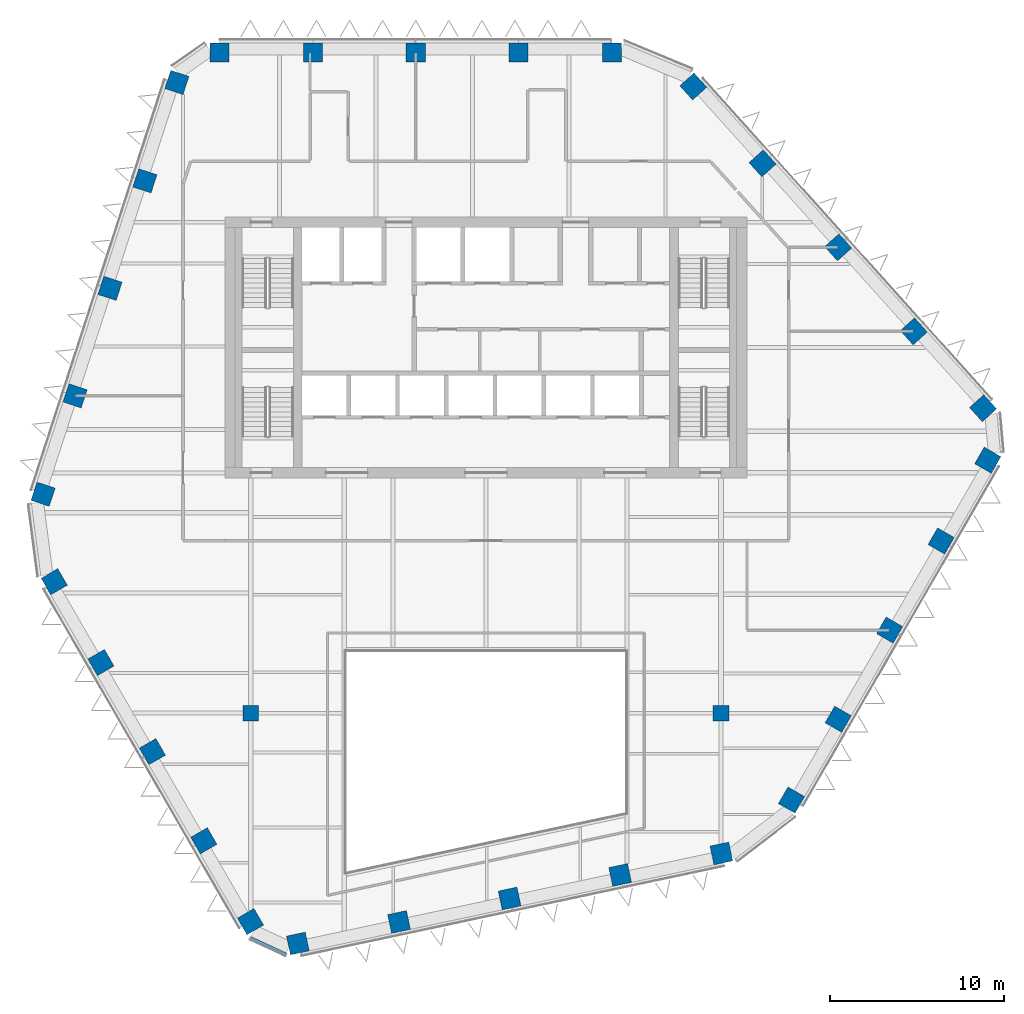
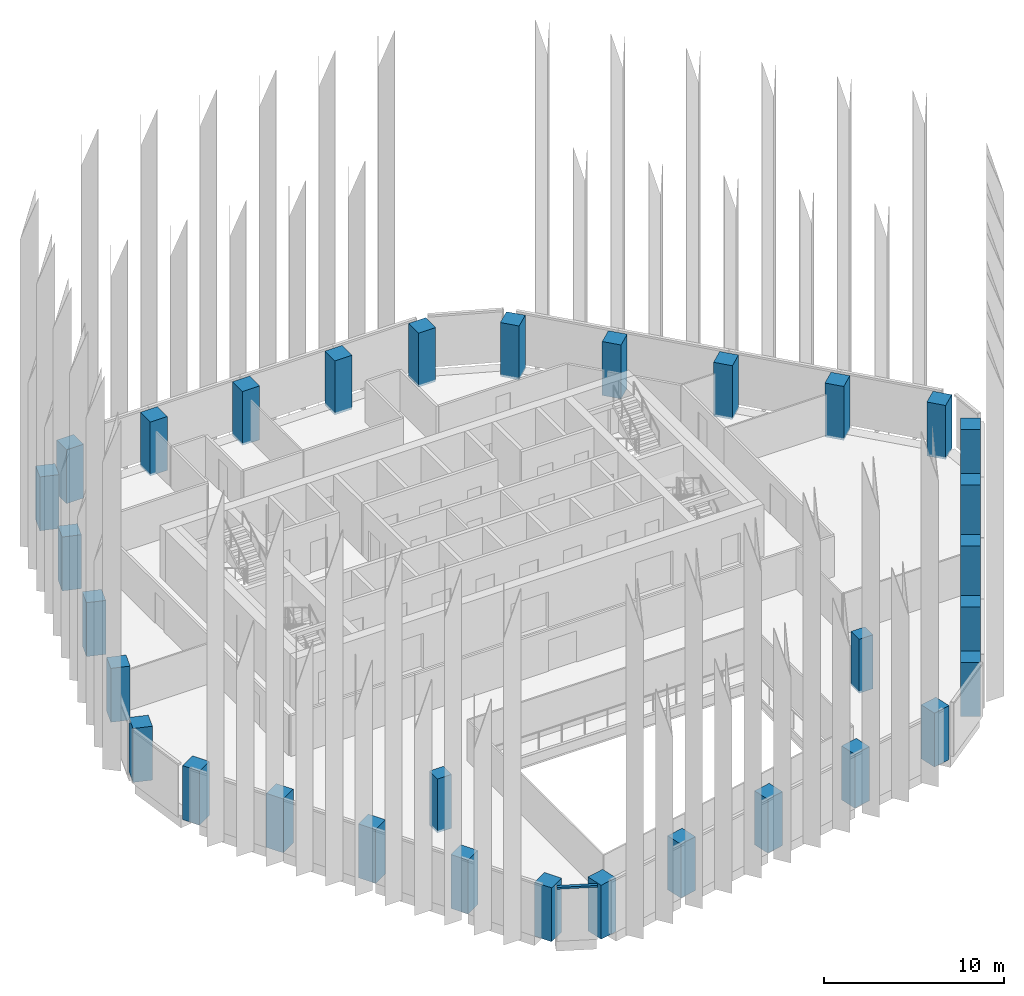
# One storey, part 1 of 18: 32 columns, 1 member, 1 element without a shape of its own.
"""IFC4 building model written with IfcOpenShell, lengths in metres."""

from ifc_helpers import new_model, si_unit, direction, frame, origin, origin_2d, place, context, subcontext, project, spatial, rectangle, extrude, material, layer, layer_set, material_profile, profile_set, type_object, element, aggregate, save


model = new_model("IFC4")

# Units and contexts
model_context = context("Model", 3, precision=1e-05, world=origin(), true_north=direction((0.0, 1.0)))
body_context = subcontext(model_context, "Body", "Model", "MODEL_VIEW")
ifc_project = project(units=[si_unit("LENGTHUNIT", "METRE"), si_unit("AREAUNIT", "SQUARE_METRE"), si_unit("VOLUMEUNIT", "CUBIC_METRE"), si_unit("PLANEANGLEUNIT", "RADIAN"), si_unit("MASSUNIT", "GRAM", prefix="KILO")], contexts=[model_context])

# Site, building, storey
site_placement = place(None, origin())
site = spatial("IfcSite", under=ifc_project, at=site_placement, CompositionType="ELEMENT")
building_placement = place(site_placement, origin())
building = spatial("IfcBuilding", under=site, at=building_placement, Name="Isthmus Gate Tower", CompositionType="ELEMENT")
storey_placement = place(building_placement, frame((0.0, 0.0, 238.199951171875)))
storey = spatial("IfcBuildingStorey", under=building, at=storey_placement, Name="L60", CompositionType="ELEMENT", Elevation=238.199951171875)

# Columns
ifc_material_1 = material(Name="Concrete f'c 50 MPa", Category="concrete")
ifc_material_profile_1 = material_profile(ifc_material_1, rectangle(XDim=0.89990234375, YDim=0.89990234375, at=origin_2d()), Name="RC 900X900")
ifc_profile_set_1 = profile_set([ifc_material_profile_1], Name="Concrete f'c 50 MPa")
column_type_1 = type_object("IfcColumnType", Name="RC INTERIOR COLUMN 900 X 900", PredefinedType="COLUMN", material=ifc_profile_set_1)
for number, where, z_axis, x_axis, name in (
    (1, (-13.5, -13.5, -0.14990234375), (0.0, 0.0, 1.0), (1.0, 0.0, 0.0), "str-icol-L60-ICB2"),
    (2, (13.5, -13.5, -0.14990234375), (0.0, 0.0, 1.0), (1.0, 0.0, 0.0), "str-icol-L60-ICD2"),
):
    element("IfcColumn", number, at=place(storey_placement, frame(where, z_axis=z_axis, x_axis=x_axis)), inside=storey, type_object=column_type_1, Name=name, PredefinedType="COLUMN", context=body_context, shape_type="SweptSolid", body=[
        extrude(rectangle(XDim=0.89990234375, YDim=0.89990234375, at=origin_2d()), origin(), (0.0, 0.0, 1.0), 3.64990234375),
    ])
ifc_material_2 = material(Name="Concrete f'c 50 MPa", Category="concrete")
ifc_material_profile_2 = material_profile(ifc_material_2, rectangle(XDim=1.10009765625, YDim=1.10009765625, at=origin_2d()), Name="RC 1100X1100")
ifc_profile_set_2 = profile_set([ifc_material_profile_2], Name="Concrete f'c 50 MPa")
column_type_2 = type_object("IfcColumnType", Name="RC TUBE COLUMN 1100 X 1100", PredefinedType="COLUMN", material=ifc_profile_set_2)
for number, where, z_axis, x_axis, name in (
    (3, (7.2412109375, 24.449951171875, -0.14990234375), (0.0, 0.0, 1.0), (-1.0, 0.0, 0.0), "str-tcol-L60-T3N0"),
    (4, (1.880615234375, 24.449951171875, -0.14990234375), (0.0, 0.0, 1.0), (-1.0, 0.0, 0.0), "str-tcol-L60-T3N1"),
    (5, (-4.030029296875, 24.449951171875, -0.14990234375), (0.0, 0.0, 1.0), (-1.0, 0.0, 0.0), "str-tcol-L60-T3N2"),
    (6, (-9.940673828125, 24.449951171875, -0.14990234375), (0.0, 0.0, 1.0), (-1.0, 0.0, 0.0), "str-tcol-L60-T3N3"),
    (7, (-15.30126953125, 24.449951171875, -0.14990234375), (0.0, 0.0, 1.0), (-1.0, 0.0, 0.0), "str-tcol-L60-T3N4"),
    (8, (-17.7509765625, 22.721923828125, -0.14990234375), (0.0, 0.0, 1.0), (-0.309016994375, -0.951056516295, 0.0), "str-tcol-L60-T3NW0"),
    (9, (-19.587158203125, 17.07080078125, -0.14990234375), (0.0, 0.0, 1.0), (-0.309016994375, -0.951056516295, 0.0), "str-tcol-L60-T3NW1"),
    (10, (-21.59326171875, 10.896728515625, -0.14990234375), (0.0, 0.0, 1.0), (-0.309016994375, -0.951056516295, 0.0), "str-tcol-L60-T3NW2"),
    (11, (-23.599365234375, 4.72265625, -0.14990234375), (0.0, 0.0, 1.0), (-0.309016994375, -0.951056516295, 0.0), "str-tcol-L60-T3NW3"),
    (12, (-25.435546875, -0.928466796875, -0.14990234375), (0.0, 0.0, 1.0), (-0.309016994375, -0.951056516295, 0.0), "str-tcol-L60-T3NW4"),
    (13, (-24.794921875, -5.9541015625, -0.14990234375), (0.0, 0.0, 1.0), (0.5, -0.866025403784, 0.0), "str-tcol-L60-T3SW0"),
    (14, (-22.114501953125, -10.596435546875, -0.14990234375), (0.0, 0.0, 1.0), (0.5, -0.866025403784, 0.0), "str-tcol-L60-T3SW1"),
    (15, (-19.1591796875, -15.715087890625, -0.14990234375), (0.0, 0.0, 1.0), (0.5, -0.866025403784, 0.0), "str-tcol-L60-T3SW2"),
    (16, (-16.2041015625, -20.833984375, -0.14990234375), (0.0, 0.0, 1.0), (0.5, -0.866025403784, 0.0), "str-tcol-L60-T3SW3"),
    (17, (-13.523681640625, -25.476318359375, -0.14990234375), (0.0, 0.0, 1.0), (0.5, -0.866025403784, 0.0), "str-tcol-L60-T3SW4"),
    (18, (-10.80224609375, -26.73388671875, -0.14990234375), (0.0, 0.0, 1.0), (0.978147600734, 0.207911690818, 0.0), "str-tcol-L60-T3S0"),
    (19, (-4.990234375, -25.498291015625, -0.14990234375), (0.0, 0.0, 1.0), (0.978147600734, 0.207911690818, 0.0), "str-tcol-L60-T3S1"),
    (20, (1.35986328125, -24.148681640625, -0.14990234375), (0.0, 0.0, 1.0), (0.978147600734, 0.207911690818, 0.0), "str-tcol-L60-T3S2"),
    (21, (7.7099609375, -22.798828125, -0.14990234375), (0.0, 0.0, 1.0), (0.978147600734, 0.207911690818, 0.0), "str-tcol-L60-T3S3"),
    (22, (13.52197265625, -21.5634765625, -0.14990234375), (0.0, 0.0, 1.0), (0.978147600734, 0.207911690818, 0.0), "str-tcol-L60-T3S4"),
    (23, (17.5537109375, -18.495849609375, -0.14990234375), (0.0, 0.0, 1.0), (0.5, 0.866025403784, 0.0), "str-tcol-L60-T3SE0"),
    (24, (20.234130859375, -13.853515625, -0.14990234375), (0.0, 0.0, 1.0), (0.5, 0.866025403784, 0.0), "str-tcol-L60-T3SE1"),
    (25, (23.189453125, -8.73486328125, -0.14990234375), (0.0, 0.0, 1.0), (0.5, 0.866025403784, 0.0), "str-tcol-L60-T3SE2"),
    (26, (26.144775390625, -3.6162109375, -0.14990234375), (0.0, 0.0, 1.0), (0.5, 0.866025403784, 0.0), "str-tcol-L60-T3SE3"),
    (27, (28.824951171875, 1.0263671875, -0.14990234375), (0.0, 0.0, 1.0), (0.5, 0.866025403784, 0.0), "str-tcol-L60-T3SE4"),
    (28, (28.55322265625, 4.011962890625, -0.14990234375), (0.0, 0.0, 1.0), (-0.669130606359, 0.743144825477, 0.0), "str-tcol-L60-T3NE0"),
    (29, (24.577392578125, 8.427490234375, -0.14990234375), (0.0, 0.0, 1.0), (-0.669130606359, 0.743144825477, 0.0), "str-tcol-L60-T3NE1"),
    (30, (20.2333984375, 13.251953125, -0.14990234375), (0.0, 0.0, 1.0), (-0.669130606359, 0.743144825477, 0.0), "str-tcol-L60-T3NE2"),
    (31, (15.8896484375, 18.076416015625, -0.14990234375), (0.0, 0.0, 1.0), (-0.669130606359, 0.743144825477, 0.0), "str-tcol-L60-T3NE3"),
    (32, (11.91357421875, 22.4921875, -0.14990234375), (0.0, 0.0, 1.0), (-0.669130606359, 0.743144825477, 0.0), "str-tcol-L60-T3NE4"),
):
    element("IfcColumn", number, at=place(storey_placement, frame(where, z_axis=z_axis, x_axis=x_axis)), inside=storey, type_object=column_type_2, Name=name, PredefinedType="COLUMN", context=body_context, shape_type="SweptSolid", body=[
        extrude(rectangle(XDim=1.10009765625, YDim=1.10009765625, at=origin_2d()), origin(), (0.0, 0.0, 1.0), 3.64990234375),
    ])

# Curtain wall, member
ifc_material_3 = material(Name="Aluminium, pale champagne anodised", Category="aluminium")
ifc_layer = layer(ifc_material_3, 0.199951171875)
ifc_layer_set = layer_set([ifc_layer], Name="CW-1 UNITISED CURTAIN WALL 200 DEEP")
curtain_wall_type = type_object("IfcCurtainWallType", Name="CW-1 UNITISED CURTAIN WALL 200 DEEP", PredefinedType="NOTDEFINED", material=ifc_layer_set)
curtain_wall_placement = place(storey_placement, origin())
curtain_wall = element("IfcCurtainWall", 33, at=curtain_wall_placement, inside=storey, type_object=curtain_wall_type, Name="CW-1 SW-S L60", PredefinedType="NOTDEFINED")
ifc_material_4 = material(Name="Aluminium, pale champagne anodised", Category="aluminium")
ifc_material_profile_3 = material_profile(ifc_material_4, rectangle(XDim=0.199951171875, YDim=0.1298828125, at=origin_2d()), Name="200x130")
ifc_profile_set_3 = profile_set([ifc_material_profile_3], Name="Aluminium, pale champagne anodised")
member_type = type_object("IfcMemberType", Name="CW-1 TRANSOM 200 X 130", PredefinedType="USERDEFINED", material=ifc_profile_set_3)
member_placement = place(storey_placement, frame((-13.521240234375, -26.432373046875, 3.5849609375), z_axis=(0.907246225564, -0.420599912268, 0.0), x_axis=(0.420599912268, 0.907246225564, 0.0)))
member = element("IfcMember", 34, at=member_placement, type_object=member_type, Name="CW-1 transom", ObjectType="TRANSOM", PredefinedType="USERDEFINED", context=body_context, shape_type="SweptSolid", body=[
    extrude(rectangle(XDim=0.199951171875, YDim=0.1298828125, at=origin_2d()), origin(), (0.0, 0.0, 1.0), 2.258544921875),
])
aggregate(curtain_wall, [member])

save(model, "model.ifc")
